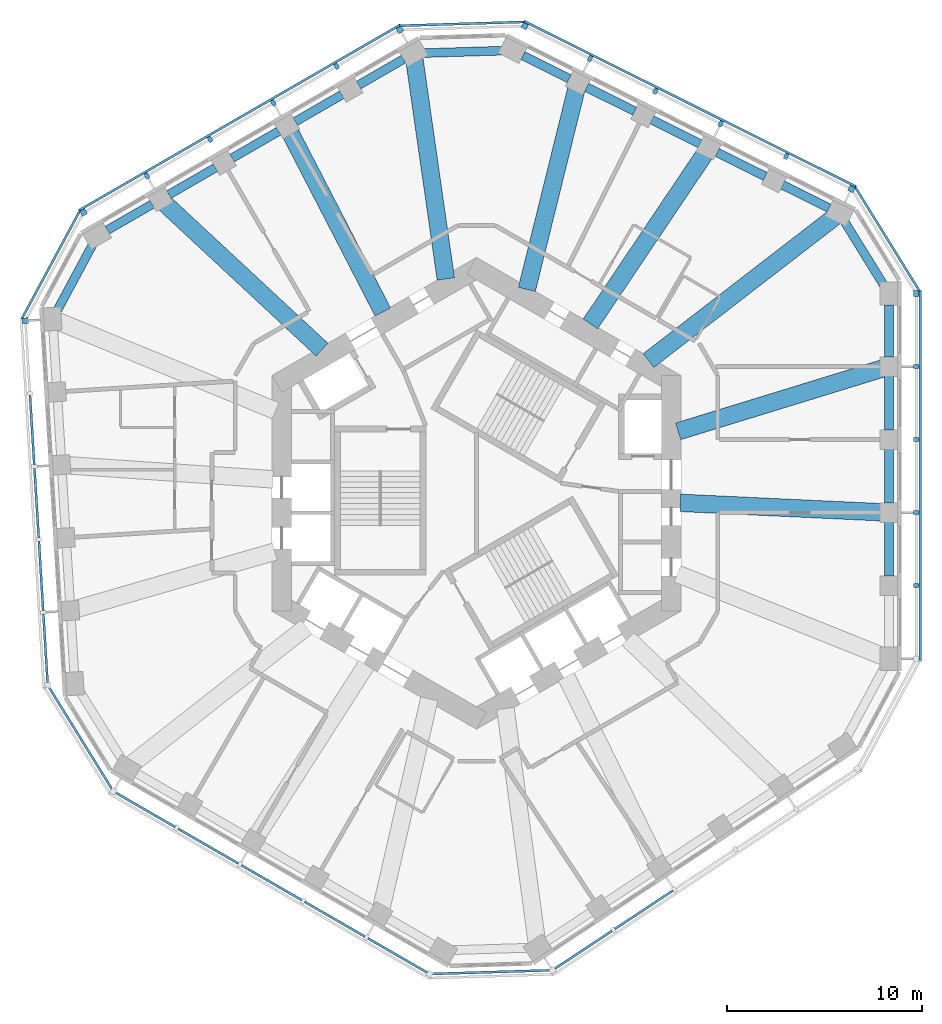
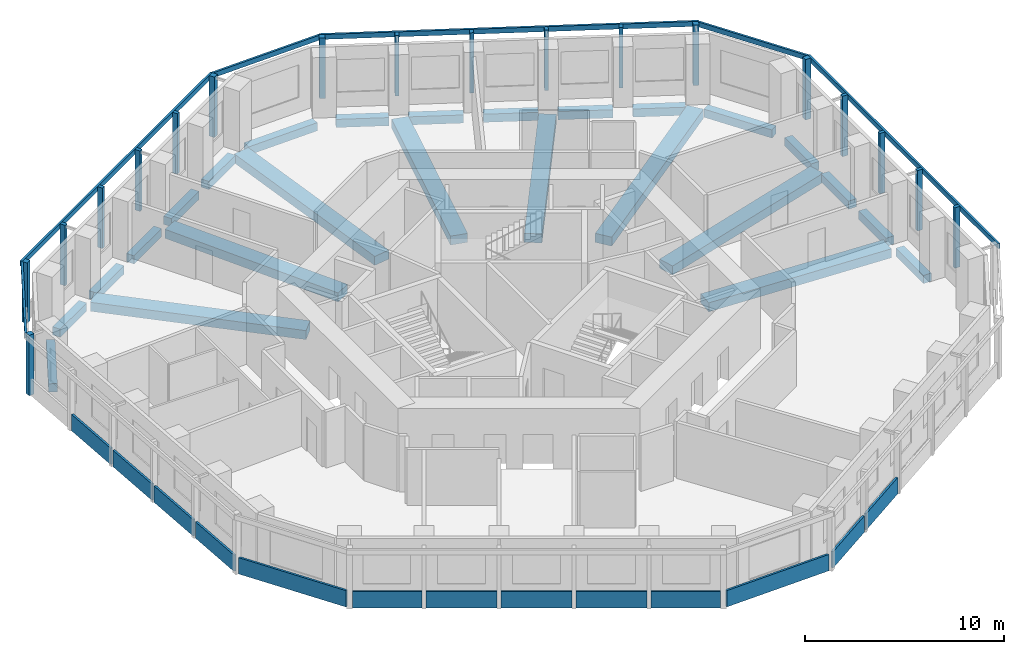
# One storey, part 2 of 10: 25 beams, 24 members, 13 plates, 11 elements without a shape of their own.
"""IFC4 building model written with IfcOpenShell, lengths in metres."""

from ifc_helpers import new_model, si_unit, direction, frame, origin, origin_2d, place, context, subcontext, project, spatial, rectangle, extrude, material, layer, layer_set, material_profile, profile_set, type_object, element, aggregate, save


model = new_model("IFC4")

# Units and contexts
model_context = context("Model", 3, precision=1e-05, world=origin(), true_north=direction((0.0, 1.0)))
body_context = subcontext(model_context, "Body", "Model", "MODEL_VIEW")
ifc_project = project(units=[si_unit("LENGTHUNIT", "METRE"), si_unit("AREAUNIT", "SQUARE_METRE"), si_unit("VOLUMEUNIT", "CUBIC_METRE"), si_unit("PLANEANGLEUNIT", "RADIAN"), si_unit("MASSUNIT", "GRAM", prefix="KILO")], contexts=[model_context])

# Site, building, storey
site_placement = place(None, origin())
site = spatial("IfcSite", under=ifc_project, at=site_placement, CompositionType="ELEMENT")
building_placement = place(site_placement, origin())
building = spatial("IfcBuilding", under=site, at=building_placement, Name="Vanh Sen Convention Tower", CompositionType="ELEMENT")
storey_placement = place(building_placement, frame((0.0, 0.0, 161.39990234375)))
storey = spatial("IfcBuildingStorey", under=building, at=storey_placement, Name="L39", CompositionType="ELEMENT", Elevation=161.39990234375)

# Curtain wall, member
ifc_material_1 = material(Name="Concrete C50/60", Category="concrete")
curtain_wall_type = type_object("IfcCurtainWallType", Name="Outer skin office zone", PredefinedType="NOTDEFINED", material=ifc_material_1)
curtain_wall_1_placement = place(storey_placement, origin())
curtain_wall_1 = element("IfcCurtainWall", 1, at=curtain_wall_1_placement, inside=storey, type_object=curtain_wall_type, Name="OUTER SKIN E L39", PredefinedType="NOTDEFINED")
ifc_material_profile_1 = material_profile(ifc_material_1, rectangle(XDim=0.300048828125, YDim=0.300048828125, at=origin_2d()), Name="Outer skin precast corner fin 300 x 300")
ifc_profile_set_1 = profile_set([ifc_material_profile_1], Name="Concrete C50/60")
member_type_1 = type_object("IfcMemberType", Name="Outer skin precast corner fin 300 x 300", PredefinedType="MULLION", material=ifc_profile_set_1)
member_1_placement = place(storey_placement, frame((22.60009765625, 10.26953125, 0.0), z_axis=(0.0, 0.0, 1.0), x_axis=(0.0, 1.0, 0.0)))
member_1 = element("IfcMember", 2, at=member_1_placement, type_object=member_type_1, Name="OUTER SKIN CORNER FIN 6 E L39", PredefinedType="MULLION", context=body_context, shape_type="SweptSolid", body=[
    extrude(rectangle(XDim=0.300048828125, YDim=0.300048828125, at=origin_2d()), origin(), (0.0, 0.0, 1.0), 3.7001953125),
])

# Curtain wall, members
curtain_wall_2_placement = place(storey_placement, origin())
curtain_wall_2 = element("IfcCurtainWall", 3, at=curtain_wall_2_placement, inside=storey, type_object=curtain_wall_type, Name="OUTER SKIN NE L39", PredefinedType="NOTDEFINED")
member_2_placement = place(storey_placement, frame((19.274658203125, 15.643310546875, 0.0), z_axis=(0.0, 0.0, 1.0), x_axis=(-0.894934361602, 0.44619781311, 0.0)))
member_2 = element("IfcMember", 4, at=member_2_placement, type_object=member_type_1, Name="OUTER SKIN CORNER FIN 1 NE L39", PredefinedType="MULLION", context=body_context, shape_type="SweptSolid", body=[
    extrude(rectangle(XDim=0.300048828125, YDim=0.300048828125, at=origin_2d()), origin(), (0.0, 0.0, 1.0), 3.7001953125),
])
member_3_placement = place(storey_placement, frame((2.476318359375, 24.0185546875, 0.0), z_axis=(0.0, 0.0, 1.0), x_axis=(-0.894934361602, 0.44619781311, 0.0)))
member_3 = element("IfcMember", 5, at=member_3_placement, type_object=member_type_1, Name="OUTER SKIN CORNER FIN 6 NE L39", PredefinedType="MULLION", context=body_context, shape_type="SweptSolid", body=[
    extrude(rectangle(XDim=0.300048828125, YDim=0.300048828125, at=origin_2d()), origin(), (0.0, 0.0, 1.0), 3.7001953125),
])

curtain_wall_3_placement = place(storey_placement, origin())
curtain_wall_3 = element("IfcCurtainWall", 6, at=curtain_wall_3_placement, inside=storey, type_object=curtain_wall_type, Name="OUTER SKIN NW L39", PredefinedType="NOTDEFINED")
member_4_placement = place(storey_placement, frame((-3.93798828125, 23.822509765625, 0.0), z_axis=(0.0, 0.0, 1.0), x_axis=(-0.866025403784, -0.5, 0.0)))
member_4 = element("IfcMember", 7, at=member_4_placement, type_object=member_type_1, Name="OUTER SKIN CORNER FIN 1 NW L39", PredefinedType="MULLION", context=body_context, shape_type="SweptSolid", body=[
    extrude(rectangle(XDim=0.300048828125, YDim=0.300048828125, at=origin_2d()), origin(), (0.0, 0.0, 1.0), 3.7001953125),
])
member_5_placement = place(storey_placement, frame((-20.193603515625, 14.4375, 0.0), z_axis=(0.0, 0.0, 1.0), x_axis=(-0.866025403784, -0.5, 0.0)))
member_5 = element("IfcMember", 8, at=member_5_placement, type_object=member_type_1, Name="OUTER SKIN CORNER FIN 6 NW L39", PredefinedType="MULLION", context=body_context, shape_type="SweptSolid", body=[
    extrude(rectangle(XDim=0.300048828125, YDim=0.300048828125, at=origin_2d()), origin(), (0.0, 0.0, 1.0), 3.7001953125),
])

# Curtain wall, member
curtain_wall_4_placement = place(storey_placement, origin())
curtain_wall_4 = element("IfcCurtainWall", 9, at=curtain_wall_4_placement, inside=storey, type_object=curtain_wall_type, Name="OUTER SKIN W L39", PredefinedType="NOTDEFINED")
member_6_placement = place(storey_placement, frame((-23.184814453125, 8.87060546875, 0.0), z_axis=(0.0, 0.0, 1.0), x_axis=(0.061048539535, -0.998134798422, 0.0)))
member_6 = element("IfcMember", 10, at=member_6_placement, type_object=member_type_1, Name="OUTER SKIN CORNER FIN 1 W L39", PredefinedType="MULLION", context=body_context, shape_type="SweptSolid", body=[
    extrude(rectangle(XDim=0.300048828125, YDim=0.300048828125, at=origin_2d()), origin(), (0.0, 0.0, 1.0), 3.7001953125),
])

# Member
ifc_material_profile_2 = material_profile(ifc_material_1, rectangle(XDim=0.199951171875, YDim=0.300048828125, at=origin_2d()), Name="Outer skin precast fin 200 x 300")
ifc_profile_set_2 = profile_set([ifc_material_profile_2], Name="Concrete C50/60")
member_type_2 = type_object("IfcMemberType", Name="Outer skin precast fin 200 x 300", PredefinedType="MULLION", material=ifc_profile_set_2)
member_7_placement = place(storey_placement, frame((22.60009765625, -4.746826171875, 0.0), z_axis=(0.0, 0.0, 1.0), x_axis=(0.0, 1.0, 0.0)))
member_7 = element("IfcMember", 11, at=member_7_placement, type_object=member_type_2, Name="OUTER SKIN fin 2 E L39", PredefinedType="MULLION", context=body_context, shape_type="SweptSolid", body=[
    extrude(rectangle(XDim=0.199951171875, YDim=0.300048828125, at=origin_2d()), origin(), (0.0, 0.0, 1.0), 3.7001953125),
])

member_8_placement = place(storey_placement, frame((22.60009765625, -0.992919921875, 0.0), z_axis=(0.0, 0.0, 1.0), x_axis=(0.0, 1.0, 0.0)))
member_8 = element("IfcMember", 12, at=member_8_placement, type_object=member_type_2, Name="OUTER SKIN fin 3 E L39", PredefinedType="MULLION", context=body_context, shape_type="SweptSolid", body=[
    extrude(rectangle(XDim=0.199951171875, YDim=0.300048828125, at=origin_2d()), origin(), (0.0, 0.0, 1.0), 3.7001953125),
])

member_9_placement = place(storey_placement, frame((22.60009765625, 2.76123046875, 0.0), z_axis=(0.0, 0.0, 1.0), x_axis=(0.0, 1.0, 0.0)))
member_9 = element("IfcMember", 13, at=member_9_placement, type_object=member_type_2, Name="OUTER SKIN fin 4 E L39", PredefinedType="MULLION", context=body_context, shape_type="SweptSolid", body=[
    extrude(rectangle(XDim=0.199951171875, YDim=0.300048828125, at=origin_2d()), origin(), (0.0, 0.0, 1.0), 3.7001953125),
])

member_10_placement = place(storey_placement, frame((22.60009765625, 6.515380859375, 0.0), z_axis=(0.0, 0.0, 1.0), x_axis=(0.0, 1.0, 0.0)))
member_10 = element("IfcMember", 14, at=member_10_placement, type_object=member_type_2, Name="OUTER SKIN fin 5 E L39", PredefinedType="MULLION", context=body_context, shape_type="SweptSolid", body=[
    extrude(rectangle(XDim=0.199951171875, YDim=0.300048828125, at=origin_2d()), origin(), (0.0, 0.0, 1.0), 3.7001953125),
])

member_11_placement = place(storey_placement, frame((15.9150390625, 17.318359375, 0.0), z_axis=(0.0, 0.0, 1.0), x_axis=(-0.894934361602, 0.44619781311, 0.0)))
member_11 = element("IfcMember", 15, at=member_11_placement, type_object=member_type_2, Name="OUTER SKIN fin 2 NE L39", PredefinedType="MULLION", context=body_context, shape_type="SweptSolid", body=[
    extrude(rectangle(XDim=0.199951171875, YDim=0.300048828125, at=origin_2d()), origin(), (0.0, 0.0, 1.0), 3.7001953125),
])

member_12_placement = place(storey_placement, frame((12.555419921875, 18.993408203125, 0.0), z_axis=(0.0, 0.0, 1.0), x_axis=(-0.894934361602, 0.44619781311, 0.0)))
member_12 = element("IfcMember", 16, at=member_12_placement, type_object=member_type_2, Name="OUTER SKIN fin 3 NE L39", PredefinedType="MULLION", context=body_context, shape_type="SweptSolid", body=[
    extrude(rectangle(XDim=0.199951171875, YDim=0.300048828125, at=origin_2d()), origin(), (0.0, 0.0, 1.0), 3.7001953125),
])

member_13_placement = place(storey_placement, frame((9.195556640625, 20.66845703125, 0.0), z_axis=(0.0, 0.0, 1.0), x_axis=(-0.894934361602, 0.44619781311, 0.0)))
member_13 = element("IfcMember", 17, at=member_13_placement, type_object=member_type_2, Name="OUTER SKIN fin 4 NE L39", PredefinedType="MULLION", context=body_context, shape_type="SweptSolid", body=[
    extrude(rectangle(XDim=0.199951171875, YDim=0.300048828125, at=origin_2d()), origin(), (0.0, 0.0, 1.0), 3.7001953125),
])

member_14_placement = place(storey_placement, frame((5.8359375, 22.343505859375, 0.0), z_axis=(0.0, 0.0, 1.0), x_axis=(-0.894934361602, 0.44619781311, 0.0)))
member_14 = element("IfcMember", 18, at=member_14_placement, type_object=member_type_2, Name="OUTER SKIN fin 5 NE L39", PredefinedType="MULLION", context=body_context, shape_type="SweptSolid", body=[
    extrude(rectangle(XDim=0.199951171875, YDim=0.300048828125, at=origin_2d()), origin(), (0.0, 0.0, 1.0), 3.7001953125),
])

member_15_placement = place(storey_placement, frame((-7.189208984375, 21.945556640625, 0.0), z_axis=(0.0, 0.0, 1.0), x_axis=(-0.866025403784, -0.5, 0.0)))
member_15 = element("IfcMember", 19, at=member_15_placement, type_object=member_type_2, Name="OUTER SKIN fin 2 NW L39", PredefinedType="MULLION", context=body_context, shape_type="SweptSolid", body=[
    extrude(rectangle(XDim=0.199951171875, YDim=0.300048828125, at=origin_2d()), origin(), (0.0, 0.0, 1.0), 3.7001953125),
])

member_16_placement = place(storey_placement, frame((-10.440185546875, 20.068603515625, 0.0), z_axis=(0.0, 0.0, 1.0), x_axis=(-0.866025403784, -0.5, 0.0)))
member_16 = element("IfcMember", 20, at=member_16_placement, type_object=member_type_2, Name="OUTER SKIN fin 3 NW L39", PredefinedType="MULLION", context=body_context, shape_type="SweptSolid", body=[
    extrude(rectangle(XDim=0.199951171875, YDim=0.300048828125, at=origin_2d()), origin(), (0.0, 0.0, 1.0), 3.7001953125),
])

member_17_placement = place(storey_placement, frame((-13.69140625, 18.19140625, 0.0), z_axis=(0.0, 0.0, 1.0), x_axis=(-0.866025403784, -0.5, 0.0)))
member_17 = element("IfcMember", 21, at=member_17_placement, type_object=member_type_2, Name="OUTER SKIN fin 4 NW L39", PredefinedType="MULLION", context=body_context, shape_type="SweptSolid", body=[
    extrude(rectangle(XDim=0.199951171875, YDim=0.300048828125, at=origin_2d()), origin(), (0.0, 0.0, 1.0), 3.7001953125),
])

member_18_placement = place(storey_placement, frame((-16.9423828125, 16.314453125, 0.0), z_axis=(0.0, 0.0, 1.0), x_axis=(-0.866025403784, -0.5, 0.0)))
member_18 = element("IfcMember", 22, at=member_18_placement, type_object=member_type_2, Name="OUTER SKIN fin 5 NW L39", PredefinedType="MULLION", context=body_context, shape_type="SweptSolid", body=[
    extrude(rectangle(XDim=0.199951171875, YDim=0.300048828125, at=origin_2d()), origin(), (0.0, 0.0, 1.0), 3.7001953125),
])

ifc_material_profile_3 = material_profile(ifc_material_1, rectangle(XDim=0.1201171875, YDim=0.300048828125, at=origin_2d()), Name="Outer skin precast spandrel band 300 x 120")
ifc_profile_set_3 = profile_set([ifc_material_profile_3], Name="Concrete C50/60")
member_type_3 = type_object("IfcMemberType", Name="Outer skin precast spandrel band 300 x 120", PredefinedType="USERDEFINED", material=ifc_profile_set_3)
member_19_placement = place(storey_placement, frame((22.81005859375, -8.65087890625, 3.550048828125), z_axis=(0.0, 1.0, 0.0), x_axis=(-1.0, 0.0, 0.0)))
member_19 = element("IfcMember", 23, at=member_19_placement, type_object=member_type_3, Name="OUTER SKIN spandrel band E L39", ObjectType="TRANSOM", PredefinedType="USERDEFINED", context=body_context, shape_type="SweptSolid", body=[
    extrude(rectangle(XDim=0.1201171875, YDim=0.300048828125, at=origin_2d()), origin(), (0.0, 0.0, 1.0), 19.0703125),
])

aggregate(curtain_wall_1, [member_7, member_8, member_9, member_10, member_1, member_19])

# Curtain wall, member
curtain_wall_5_placement = place(storey_placement, origin())
curtain_wall_5 = element("IfcCurtainWall", 24, at=curtain_wall_5_placement, inside=storey, type_object=curtain_wall_type, Name="OUTER SKIN CH1 L39", PredefinedType="NOTDEFINED")
member_20_placement = place(storey_placement, frame((22.778564453125, 10.3798828125, 3.550048828125), z_axis=(-0.526173726926, 0.850377098171, 0.0), x_axis=(-0.850377098171, -0.526173726926, 0.0)))
member_20 = element("IfcMember", 25, at=member_20_placement, type_object=member_type_3, Name="OUTER SKIN spandrel band CH1 L39", ObjectType="TRANSOM", PredefinedType="USERDEFINED", context=body_context, shape_type="SweptSolid", body=[
    extrude(rectangle(XDim=0.1201171875, YDim=0.300048828125, at=origin_2d()), origin(), (0.0, 0.0, 1.0), 6.319580078125),
])
aggregate(curtain_wall_5, [member_20])

# Member
member_21_placement = place(storey_placement, frame((19.502685546875, 15.764404296875, 3.550048828125), z_axis=(-0.894941234474, 0.446184027996, 0.0), x_axis=(-0.446184027996, -0.894941234474, 0.0)))
member_21 = element("IfcMember", 26, at=member_21_placement, type_object=member_type_3, Name="OUTER SKIN spandrel band NE L39", ObjectType="TRANSOM", PredefinedType="USERDEFINED", context=body_context, shape_type="SweptSolid", body=[
    extrude(rectangle(XDim=0.1201171875, YDim=0.300048828125, at=origin_2d()), origin(), (0.0, 0.0, 1.0), 19.07080078125),
])

aggregate(curtain_wall_2, [member_2, member_11, member_12, member_13, member_14, member_3, member_21])

# Curtain wall, member
curtain_wall_6_placement = place(storey_placement, origin())
curtain_wall_6 = element("IfcCurtainWall", 27, at=curtain_wall_6_placement, inside=storey, type_object=curtain_wall_type, Name="OUTER SKIN CH2 L39", PredefinedType="NOTDEFINED")
member_22_placement = place(storey_placement, frame((2.4697265625, 24.228515625, 3.550048828125), z_axis=(-0.999533221695, -0.030550592913, 0.0), x_axis=(0.030550592913, -0.999533221695, 0.0)))
member_22 = element("IfcMember", 28, at=member_22_placement, type_object=member_type_3, Name="OUTER SKIN spandrel band CH2 L39", ObjectType="TRANSOM", PredefinedType="USERDEFINED", context=body_context, shape_type="SweptSolid", body=[
    extrude(rectangle(XDim=0.1201171875, YDim=0.300048828125, at=origin_2d()), origin(), (0.0, 0.0, 1.0), 6.4169921875),
])
aggregate(curtain_wall_6, [member_22])

# Member
member_23_placement = place(storey_placement, frame((-3.9130859375, 24.07958984375, 3.550048828125), z_axis=(-0.866023136587, -0.500003926881, 0.0), x_axis=(0.500003926881, -0.866023136587, 0.0)))
member_23 = element("IfcMember", 29, at=member_23_placement, type_object=member_type_3, Name="OUTER SKIN spandrel band NW L39", ObjectType="TRANSOM", PredefinedType="USERDEFINED", context=body_context, shape_type="SweptSolid", body=[
    extrude(rectangle(XDim=0.1201171875, YDim=0.300048828125, at=origin_2d()), origin(), (0.0, 0.0, 1.0), 19.070556640625),
])

aggregate(curtain_wall_3, [member_4, member_15, member_16, member_17, member_18, member_5, member_23])

# Curtain wall, member
curtain_wall_7_placement = place(storey_placement, origin())
curtain_wall_7 = element("IfcCurtainWall", 30, at=curtain_wall_7_placement, inside=storey, type_object=curtain_wall_type, Name="OUTER SKIN CH3 L39", PredefinedType="NOTDEFINED")
member_24_placement = place(storey_placement, frame((-20.378662109375, 14.536865234375, 3.550048828125), z_axis=(-0.47333707755, -0.880881383057, 0.0), x_axis=(0.880881383057, -0.47333707755, 0.0)))
member_24 = element("IfcMember", 31, at=member_24_placement, type_object=member_type_3, Name="OUTER SKIN spandrel band CH3 L39", ObjectType="TRANSOM", PredefinedType="USERDEFINED", context=body_context, shape_type="SweptSolid", body=[
    extrude(rectangle(XDim=0.1201171875, YDim=0.300048828125, at=origin_2d()), origin(), (0.0, 0.0, 1.0), 6.3193359375),
])
aggregate(curtain_wall_7, [member_24])

# Beams
ifc_material_2 = material(Name="Concrete C50/60", Category="concrete")
ifc_material_profile_4 = material_profile(ifc_material_2, rectangle(XDim=0.89990234375, YDim=0.550048828125, at=origin_2d()), Name="RC 900X550")
ifc_profile_set_4 = profile_set([ifc_material_profile_4], Name="Concrete C50/60")
beam_type_1 = type_object("IfcBeamType", Name="Radial floor beam 900 x 550", PredefinedType="BEAM", material=ifc_profile_set_4)
beam_1_placement = place(storey_placement, frame((20.77587890625, -0.972900390625, -0.554931640625), z_axis=(-0.998905318596, 0.046777820399, 0.0), x_axis=(-0.046777820399, -0.998905318596, 0.0)))
element("IfcBeam", 32, at=beam_1_placement, inside=storey, type_object=beam_type_1, Name="Radial beam 02 L39", PredefinedType="BEAM", context=body_context, shape_type="SweptSolid", body=[
    extrude(rectangle(XDim=0.89990234375, YDim=0.550048828125, at=origin_2d()), origin(), (0.0, 0.0, 1.0), 10.31298828125),
])
beam_2_placement = place(storey_placement, frame((20.9775390625, 6.447021484375, -0.554931640625), z_axis=(-0.955874982074, -0.29377375418, 0.0), x_axis=(0.29377375418, -0.955874982074, 0.0)))
element("IfcBeam", 33, at=beam_2_placement, inside=storey, type_object=beam_type_1, Name="Radial beam 03 L39", PredefinedType="BEAM", context=body_context, shape_type="SweptSolid", body=[
    extrude(rectangle(XDim=0.89990234375, YDim=0.550048828125, at=origin_2d()), origin(), (0.0, 0.0, 1.0), 11.1044921875),
])
beam_3_placement = place(storey_placement, frame((18.4306640625, 14.22119140625, -0.554931640625), z_axis=(-0.791711533114, -0.610895120568, 0.0), x_axis=(0.610895120568, -0.791711533114, 0.0)))
element("IfcBeam", 34, at=beam_3_placement, inside=storey, type_object=beam_type_1, Name="Radial beam 04 L39", PredefinedType="BEAM", context=body_context, shape_type="SweptSolid", body=[
    extrude(rectangle(XDim=0.89990234375, YDim=0.550048828125, at=origin_2d()), origin(), (0.0, 0.0, 1.0), 12.11669921875),
])
beam_4_placement = place(storey_placement, frame((11.712890625, 17.416748046875, -0.554931640625), z_axis=(-0.558049212229, -0.829807855308, 0.0), x_axis=(0.829807855308, -0.558049212229, 0.0)))
element("IfcBeam", 35, at=beam_4_placement, inside=storey, type_object=beam_type_1, Name="Radial beam 05 L39", PredefinedType="BEAM", context=body_context, shape_type="SweptSolid", body=[
    extrude(rectangle(XDim=0.89990234375, YDim=0.550048828125, at=origin_2d()), origin(), (0.0, 0.0, 1.0), 10.500244140625),
])
beam_5_placement = place(storey_placement, frame((5.1455078125, 20.824951171875, -0.554931640625), z_axis=(-0.239866381143, -0.970805912218, 0.0), x_axis=(0.970805912218, -0.239866381143, 0.0)))
element("IfcBeam", 36, at=beam_5_placement, inside=storey, type_object=beam_type_1, Name="Radial beam 06 L39", PredefinedType="BEAM", context=body_context, shape_type="SweptSolid", body=[
    extrude(rectangle(XDim=0.89990234375, YDim=0.550048828125, at=origin_2d()), origin(), (0.0, 0.0, 1.0), 10.656494140625),
])
beam_6_placement = place(storey_placement, frame((-3.195556640625, 22.31396484375, -0.554931640625), z_axis=(0.141765709165, -0.989900239269, 0.0), x_axis=(0.989900239269, 0.141765709165, 0.0)))
element("IfcBeam", 37, at=beam_6_placement, inside=storey, type_object=beam_type_1, Name="Radial beam 07 L39", PredefinedType="BEAM", context=body_context, shape_type="SweptSolid", body=[
    extrude(rectangle(XDim=0.89990234375, YDim=0.550048828125, at=origin_2d()), origin(), (0.0, 0.0, 1.0), 11.414306640625),
])
beam_7_placement = place(storey_placement, frame((-9.54541015625, 18.47900390625, -0.554931640625), z_axis=(0.458935346364, -0.888469666257, 0.0), x_axis=(0.888469666257, 0.458935346364, 0.0)))
element("IfcBeam", 38, at=beam_7_placement, inside=storey, type_object=beam_type_1, Name="Radial beam 08 L39", PredefinedType="BEAM", context=body_context, shape_type="SweptSolid", body=[
    extrude(rectangle(XDim=0.89990234375, YDim=0.550048828125, at=origin_2d()), origin(), (0.0, 0.0, 1.0), 10.313232421875),
])
beam_8_placement = place(storey_placement, frame((-16.072021484375, 14.943603515625, -0.554931640625), z_axis=(0.732340727094, -0.680938366843, 0.0), x_axis=(0.680938366843, 0.732340727094, 0.0)))
element("IfcBeam", 39, at=beam_8_placement, inside=storey, type_object=beam_type_1, Name="Radial beam 09 L39", PredefinedType="BEAM", context=body_context, shape_type="SweptSolid", body=[
    extrude(rectangle(XDim=0.89990234375, YDim=0.550048828125, at=origin_2d()), origin(), (0.0, 0.0, 1.0), 11.1044921875),
])
ifc_material_profile_5 = material_profile(ifc_material_2, rectangle(XDim=0.449951171875, YDim=0.5, at=origin_2d()), Name="RC 450X500")
ifc_profile_set_5 = profile_set([ifc_material_profile_5], Name="Concrete C50/60")
beam_type_2 = type_object("IfcBeamType", Name="Spandrel beam 450 x 500", PredefinedType="SPANDREL", material=ifc_profile_set_5)
for number, where, z_axis, x_axis, name in (
    (40, (21.199951171875, -4.251953125, -0.52978515625), (0.0, 1.0, 0.0), (-1.0, 0.0, 0.0), "Spandrel beam 02 L39"),
    (41, (21.199951171875, -0.497802734375, -0.52978515625), (0.0, 1.0, 0.0), (-1.0, 0.0, 0.0), "Spandrel beam 03 L39"),
    (42, (21.199951171875, 3.25634765625, -0.52978515625), (0.0, 1.0, 0.0), (-1.0, 0.0, 0.0), "Spandrel beam 04 L39"),
):
    element("IfcBeam", number, at=place(storey_placement, frame(where, z_axis=z_axis, x_axis=x_axis)), inside=storey, type_object=beam_type_2, Name=name, PredefinedType="SPANDREL", context=body_context, shape_type="SweptSolid", body=[
        extrude(rectangle(XDim=0.449951171875, YDim=0.5, at=origin_2d()), origin(), (0.0, 0.0, 1.0), 2.76416015625),
    ])
beam_9_placement = place(storey_placement, frame((21.199951171875, 7.010498046875, -0.52978515625), z_axis=(0.0, 1.0, 0.0), x_axis=(-1.0, 0.0, 0.0)))
element("IfcBeam", 43, at=beam_9_placement, inside=storey, type_object=beam_type_2, Name="Spandrel beam 05 L39", PredefinedType="SPANDREL", context=body_context, shape_type="SweptSolid", body=[
    extrude(rectangle(XDim=0.449951171875, YDim=0.5, at=origin_2d()), origin(), (0.0, 0.0, 1.0), 2.6640625),
])
beam_10_placement = place(storey_placement, frame((20.944091796875, 10.683349609375, -0.52978515625), z_axis=(-0.526220063476, 0.850348425526, 0.0), x_axis=(-0.850348425526, -0.526220063476, 0.0)))
element("IfcBeam", 44, at=beam_10_placement, inside=storey, type_object=beam_type_2, Name="Spandrel beam 06 L39", PredefinedType="SPANDREL", context=body_context, shape_type="SweptSolid", body=[
    extrude(rectangle(XDim=0.449951171875, YDim=0.5, at=origin_2d()), origin(), (0.0, 0.0, 1.0), 3.873046875),
])
beam_11_placement = place(storey_placement, frame((18.117431640625, 14.656005859375, -0.52978515625), z_axis=(-0.894958126718, 0.446150144482, 0.0), x_axis=(-0.446150144482, -0.894958126718, 0.0)))
element("IfcBeam", 45, at=beam_11_placement, inside=storey, type_object=beam_type_2, Name="Spandrel beam 07 L39", PredefinedType="SPANDREL", context=body_context, shape_type="SweptSolid", body=[
    extrude(rectangle(XDim=0.449951171875, YDim=0.5, at=origin_2d()), origin(), (0.0, 0.0, 1.0), 2.663818359375),
])
beam_12_placement = place(storey_placement, frame((14.847412109375, 16.286376953125, -0.52978515625), z_axis=(-0.894974121341, 0.446118058511, 0.0), x_axis=(-0.446118058511, -0.894974121341, 0.0)))
element("IfcBeam", 46, at=beam_12_placement, inside=storey, type_object=beam_type_2, Name="Spandrel beam 08 L39", PredefinedType="SPANDREL", context=body_context, shape_type="SweptSolid", body=[
    extrude(rectangle(XDim=0.449951171875, YDim=0.5, at=origin_2d()), origin(), (0.0, 0.0, 1.0), 2.76416015625),
])
beam_13_placement = place(storey_placement, frame((11.487548828125, 17.96142578125, -0.52978515625), z_axis=(-0.894956541152, 0.446153325045, 0.0), x_axis=(-0.446153325045, -0.894956541152, 0.0)))
element("IfcBeam", 47, at=beam_13_placement, inside=storey, type_object=beam_type_2, Name="Spandrel beam 09 L39", PredefinedType="SPANDREL", context=body_context, shape_type="SweptSolid", body=[
    extrude(rectangle(XDim=0.449951171875, YDim=0.5, at=origin_2d()), origin(), (0.0, 0.0, 1.0), 2.763916015625),
])
beam_14_placement = place(storey_placement, frame((8.1279296875, 19.636474609375, -0.52978515625), z_axis=(-0.89492127077, 0.446224068292, 0.0), x_axis=(-0.446224068292, -0.89492127077, 0.0)))
element("IfcBeam", 48, at=beam_14_placement, inside=storey, type_object=beam_type_2, Name="Spandrel beam 10 L39", PredefinedType="SPANDREL", context=body_context, shape_type="SweptSolid", body=[
    extrude(rectangle(XDim=0.449951171875, YDim=0.5, at=origin_2d()), origin(), (0.0, 0.0, 1.0), 2.76416015625),
])
beam_15_placement = place(storey_placement, frame((4.768310546875, 21.3115234375, -0.52978515625), z_axis=(-0.894939776695, 0.446186951948, 0.0), x_axis=(-0.446186951948, -0.894939776695, 0.0)))
element("IfcBeam", 49, at=beam_15_placement, inside=storey, type_object=beam_type_2, Name="Spandrel beam 11 L39", PredefinedType="SPANDREL", context=body_context, shape_type="SweptSolid", body=[
    extrude(rectangle(XDim=0.449951171875, YDim=0.5, at=origin_2d()), origin(), (0.0, 0.0, 1.0), 2.6640625),
])
beam_16_placement = place(storey_placement, frame((1.32470703125, 22.74951171875, -0.52978515625), z_axis=(-0.999533715833, -0.030534421783, 0.0), x_axis=(0.030534421783, -0.999533715833, 0.0)))
element("IfcBeam", 50, at=beam_16_placement, inside=storey, type_object=beam_type_2, Name="Spandrel beam 12 L39", PredefinedType="SPANDREL", context=body_context, shape_type="SweptSolid", body=[
    extrude(rectangle(XDim=0.449951171875, YDim=0.5, at=origin_2d()), origin(), (0.0, 0.0, 1.0), 4.037841796875),
])
beam_17_placement = place(storey_placement, frame((-3.753173828125, 22.312744140625, -0.52978515625), z_axis=(-0.866023818221, -0.500002746266, 0.0), x_axis=(0.500002746266, -0.866023818221, 0.0)))
element("IfcBeam", 51, at=beam_17_placement, inside=storey, type_object=beam_type_2, Name="Spandrel beam 13 L39", PredefinedType="SPANDREL", context=body_context, shape_type="SweptSolid", body=[
    extrude(rectangle(XDim=0.449951171875, YDim=0.5, at=origin_2d()), origin(), (0.0, 0.0, 1.0), 2.6640625),
])
for number, where, z_axis, x_axis, name in (
    (52, (-6.917724609375, 20.485595703125, -0.52978515625), (-0.866022320763, -0.500005339912, 0.0), (0.500005339912, -0.866022320763, 0.0), "Spandrel beam 14 L39"),
    (53, (-10.1689453125, 18.608642578125, -0.52978515625), (-0.866022320763, -0.500005339912, 0.0), (0.500005339912, -0.866022320763, 0.0), "Spandrel beam 15 L39"),
):
    element("IfcBeam", number, at=place(storey_placement, frame(where, z_axis=z_axis, x_axis=x_axis)), inside=storey, type_object=beam_type_2, Name=name, PredefinedType="SPANDREL", context=body_context, shape_type="SweptSolid", body=[
        extrude(rectangle(XDim=0.449951171875, YDim=0.5, at=origin_2d()), origin(), (0.0, 0.0, 1.0), 2.76416015625),
    ])
beam_18_placement = place(storey_placement, frame((-13.420166015625, 16.731689453125, -0.52978515625), z_axis=(-0.866000236617, -0.500043588279, 0.0), x_axis=(0.500043588279, -0.866000236617, 0.0)))
element("IfcBeam", 54, at=beam_18_placement, inside=storey, type_object=beam_type_2, Name="Spandrel beam 16 L39", PredefinedType="SPANDREL", context=body_context, shape_type="SweptSolid", body=[
    extrude(rectangle(XDim=0.449951171875, YDim=0.5, at=origin_2d()), origin(), (0.0, 0.0, 1.0), 2.763916015625),
])
beam_19_placement = place(storey_placement, frame((-16.671142578125, 14.8544921875, -0.52978515625), z_axis=(-0.866046726429, -0.499963066278, 0.0), x_axis=(0.499963066278, -0.866046726429, 0.0)))
element("IfcBeam", 55, at=beam_19_placement, inside=storey, type_object=beam_type_2, Name="Spandrel beam 17 L39", PredefinedType="SPANDREL", context=body_context, shape_type="SweptSolid", body=[
    extrude(rectangle(XDim=0.449951171875, YDim=0.5, at=origin_2d()), origin(), (0.0, 0.0, 1.0), 2.664306640625),
])
beam_20_placement = place(storey_placement, frame((-19.72412109375, 12.79638671875, -0.52978515625), z_axis=(-0.473295157781, -0.880903907144, 0.0), x_axis=(0.880903907144, -0.473295157781, 0.0)))
element("IfcBeam", 56, at=beam_20_placement, inside=storey, type_object=beam_type_2, Name="Spandrel beam 18 L39", PredefinedType="SPANDREL", context=body_context, shape_type="SweptSolid", body=[
    extrude(rectangle(XDim=0.449951171875, YDim=0.5, at=origin_2d()), origin(), (0.0, 0.0, 1.0), 3.872802734375),
])

# Plate
ifc_layer = layer(ifc_material_1, 0.1201171875)
ifc_layer_set = layer_set([ifc_layer], Name="Concrete C50/60")
plate_type = type_object("IfcPlateType", Name="Outer skin precast screen panel 120", PredefinedType="CURTAIN_PANEL", material=ifc_layer_set)
plate_1_placement = place(storey_placement, frame((-22.841064453125, 3.25, 0.0), z_axis=(0.0, 0.0, 1.0), x_axis=(0.061052023682, -0.998134585316, 0.0)))
plate_1 = element("IfcPlate", 57, at=plate_1_placement, type_object=plate_type, Name="OUTER SKIN screen panel W-2", PredefinedType="CURTAIN_PANEL", context=body_context, shape_type="SweptSolid", body=[
    extrude(rectangle(XDim=3.55419921875, YDim=0.1201171875, at=origin_2d()), origin(), (0.0, 0.0, 1.0), 1.0),
])

plate_2_placement = place(storey_placement, frame((-22.61181640625, -0.4970703125, 0.0), z_axis=(0.0, 0.0, 1.0), x_axis=(0.061053765756, -0.998134478759, 0.0)))
plate_2 = element("IfcPlate", 58, at=plate_2_placement, type_object=plate_type, Name="OUTER SKIN screen panel W-3", PredefinedType="CURTAIN_PANEL", context=body_context, shape_type="SweptSolid", body=[
    extrude(rectangle(XDim=3.55419921875, YDim=0.1201171875, at=origin_2d()), origin(), (0.0, 0.0, 1.0), 1.0),
])

plate_3_placement = place(storey_placement, frame((-22.382568359375, -4.244140625, 0.0), z_axis=(0.0, 0.0, 1.0), x_axis=(0.061025892559, -0.998136183312, 0.0)))
plate_3 = element("IfcPlate", 59, at=plate_3_placement, type_object=plate_type, Name="OUTER SKIN screen panel W-4", PredefinedType="CURTAIN_PANEL", context=body_context, shape_type="SweptSolid", body=[
    extrude(rectangle(XDim=3.55419921875, YDim=0.1201171875, at=origin_2d()), origin(), (0.0, 0.0, 1.0), 1.0),
])

plate_4_placement = place(storey_placement, frame((-22.155029296875, -7.96630859375, 0.0), z_axis=(0.0, 0.0, 1.0), x_axis=(0.061053765756, -0.998134478759, 0.0)))
plate_4 = element("IfcPlate", 60, at=plate_4_placement, type_object=plate_type, Name="OUTER SKIN screen panel W-5", PredefinedType="CURTAIN_PANEL", context=body_context, shape_type="SweptSolid", body=[
    extrude(rectangle(XDim=3.504150390625, YDim=0.1201171875, at=origin_2d()), origin(), (0.0, 0.0, 1.0), 1.0),
])

aggregate(curtain_wall_4, [member_6, plate_1, plate_2, plate_3, plate_4])

# Curtain wall, plate
curtain_wall_8_placement = place(storey_placement, origin())
curtain_wall_8 = element("IfcCurtainWall", 61, at=curtain_wall_8_placement, inside=storey, type_object=curtain_wall_type, Name="OUTER SKIN CH4 L39", PredefinedType="NOTDEFINED")
plate_5_placement = place(storey_placement, frame((-20.3505859375, -12.59326171875, 0.0), z_axis=(0.0, 0.0, 1.0), x_axis=(0.526218376078, -0.850349469734, 0.0)))
plate_5 = element("IfcPlate", 62, at=plate_5_placement, type_object=plate_type, Name="OUTER SKIN screen panel CH4-1", PredefinedType="CURTAIN_PANEL", context=body_context, shape_type="SweptSolid", body=[
    extrude(rectangle(XDim=6.1171875, YDim=0.1201171875, at=origin_2d()), origin(), (0.0, 0.0, 1.0), 1.0),
])
aggregate(curtain_wall_8, [plate_5])

# Curtain wall, plates
curtain_wall_9_placement = place(storey_placement, origin())
curtain_wall_9 = element("IfcCurtainWall", 63, at=curtain_wall_9_placement, inside=storey, type_object=curtain_wall_type, Name="OUTER SKIN SW L39", PredefinedType="NOTDEFINED")
plate_6_placement = place(storey_placement, frame((-17.014892578125, -16.272705078125, 0.0), z_axis=(0.0, 0.0, 1.0), x_axis=(0.86602365845, -0.500003022996, 0.0)))
plate_6 = element("IfcPlate", 64, at=plate_6_placement, type_object=plate_type, Name="OUTER SKIN screen panel SW-1", PredefinedType="CURTAIN_PANEL", context=body_context, shape_type="SweptSolid", body=[
    extrude(rectangle(XDim=3.504150390625, YDim=0.1201171875, at=origin_2d()), origin(), (0.0, 0.0, 1.0), 1.0),
])
plate_7_placement = place(storey_placement, frame((-13.785400390625, -18.13720703125, 0.0), z_axis=(0.0, 0.0, 1.0), x_axis=(0.866028021766, -0.499995465495, 0.0)))
plate_7 = element("IfcPlate", 65, at=plate_7_placement, type_object=plate_type, Name="OUTER SKIN screen panel SW-2", PredefinedType="CURTAIN_PANEL", context=body_context, shape_type="SweptSolid", body=[
    extrude(rectangle(XDim=3.553955078125, YDim=0.1201171875, at=origin_2d()), origin(), (0.0, 0.0, 1.0), 1.0),
])
plate_8_placement = place(storey_placement, frame((-10.5341796875, -20.014404296875, 0.0), z_axis=(0.0, 0.0, 1.0), x_axis=(0.86602365845, -0.500003022996, 0.0)))
plate_8 = element("IfcPlate", 66, at=plate_8_placement, type_object=plate_type, Name="OUTER SKIN screen panel SW-3", PredefinedType="CURTAIN_PANEL", context=body_context, shape_type="SweptSolid", body=[
    extrude(rectangle(XDim=3.55419921875, YDim=0.1201171875, at=origin_2d()), origin(), (0.0, 0.0, 1.0), 1.0),
])
plate_9_placement = place(storey_placement, frame((-7.283203125, -21.891357421875, 0.0), z_axis=(0.0, 0.0, 1.0), x_axis=(0.866016677006, -0.500015114919, 0.0)))
plate_9 = element("IfcPlate", 67, at=plate_9_placement, type_object=plate_type, Name="OUTER SKIN screen panel SW-4", PredefinedType="CURTAIN_PANEL", context=body_context, shape_type="SweptSolid", body=[
    extrude(rectangle(XDim=3.55419921875, YDim=0.1201171875, at=origin_2d()), origin(), (0.0, 0.0, 1.0), 1.0),
])
plate_10_placement = place(storey_placement, frame((-4.0537109375, -23.755859375, 0.0), z_axis=(0.0, 0.0, 1.0), x_axis=(0.866035002936, -0.499983373414, 0.0)))
plate_10 = element("IfcPlate", 68, at=plate_10_placement, type_object=plate_type, Name="OUTER SKIN screen panel SW-5", PredefinedType="CURTAIN_PANEL", context=body_context, shape_type="SweptSolid", body=[
    extrude(rectangle(XDim=3.504150390625, YDim=0.1201171875, at=origin_2d()), origin(), (0.0, 0.0, 1.0), 1.0),
])
aggregate(curtain_wall_9, [plate_6, plate_7, plate_8, plate_9, plate_10])

# Curtain wall, plate
curtain_wall_10_placement = place(storey_placement, origin())
curtain_wall_10 = element("IfcCurtainWall", 69, at=curtain_wall_10_placement, inside=storey, type_object=curtain_wall_type, Name="OUTER SKIN CH5 L39", PredefinedType="NOTDEFINED")
plate_11_placement = place(storey_placement, frame((0.751953125, -24.6103515625, 0.0), z_axis=(0.0, 0.0, 1.0), x_axis=(0.999533537535, 0.030540257725, 0.0)))
plate_11 = element("IfcPlate", 70, at=plate_11_placement, type_object=plate_type, Name="OUTER SKIN screen panel CH5-1", PredefinedType="CURTAIN_PANEL", context=body_context, shape_type="SweptSolid", body=[
    extrude(rectangle(XDim=6.019287109375, YDim=0.1201171875, at=origin_2d()), origin(), (0.0, 0.0, 1.0), 1.0),
])
aggregate(curtain_wall_10, [plate_11])

# Curtain wall, plates
curtain_wall_11_placement = place(storey_placement, origin())
curtain_wall_11 = element("IfcCurtainWall", 71, at=curtain_wall_11_placement, inside=storey, type_object=curtain_wall_type, Name="OUTER SKIN SE L39", PredefinedType="NOTDEFINED")
plate_12_placement = place(storey_placement, frame((5.49609375, -23.464111328125, 0.0), z_axis=(0.0, 0.0, 1.0), x_axis=(0.833889675294, 0.551931163677, 0.0)))
plate_12 = element("IfcPlate", 72, at=plate_12_placement, type_object=plate_type, Name="OUTER SKIN screen panel SE-1", PredefinedType="CURTAIN_PANEL", context=body_context, shape_type="SweptSolid", body=[
    extrude(rectangle(XDim=3.504150390625, YDim=0.1201171875, at=origin_2d()), origin(), (0.0, 0.0, 1.0), 1.0),
])
plate_13_placement = place(storey_placement, frame((8.60595703125, -21.406005859375, 0.0), z_axis=(0.0, 0.0, 1.0), x_axis=(0.833889675294, 0.551931163677, 0.0)))
plate_13 = element("IfcPlate", 73, at=plate_13_placement, type_object=plate_type, Name="OUTER SKIN screen panel SE-2", PredefinedType="CURTAIN_PANEL", context=body_context, shape_type="SweptSolid", body=[
    extrude(rectangle(XDim=3.55419921875, YDim=0.1201171875, at=origin_2d()), origin(), (0.0, 0.0, 1.0), 1.0),
])
aggregate(curtain_wall_11, [plate_12, plate_13])

save(model, "model.ifc")
